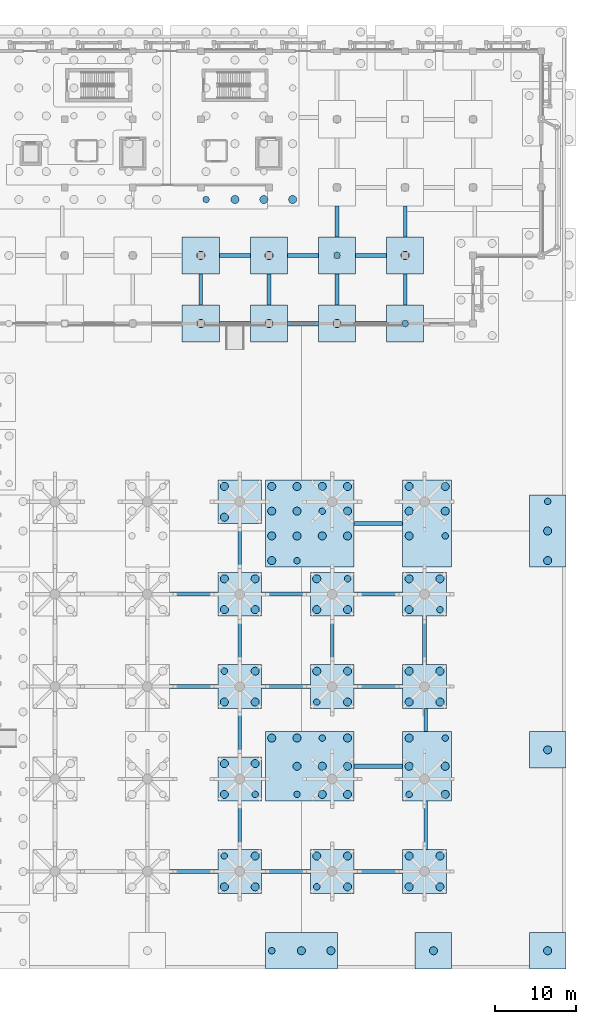
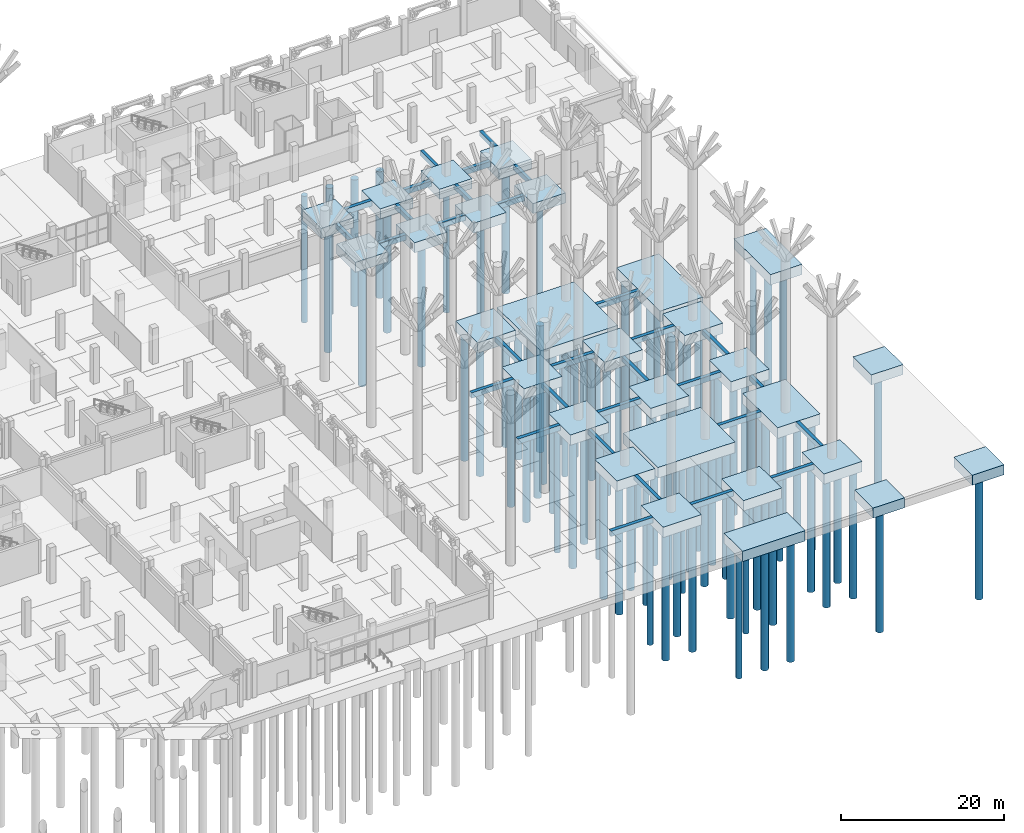
# One storey, part 7 of 98: 99 piles, 59 footings.
"""IFC4 building model written with IfcOpenShell, lengths in metres."""

from ifc_helpers import new_model, si_unit, direction, frame, origin, origin_2d, place, context, subcontext, project, spatial, rectangle, circle, extrude, material, material_profile, profile_set, type_object, element, save


model = new_model("IFC4")

# Units and contexts
model_context = context("Model", 3, precision=1e-05, world=origin(), true_north=direction((0.0, 1.0)))
body_context = subcontext(model_context, "Body", "Model", "MODEL_VIEW")
ifc_project = project(units=[si_unit("LENGTHUNIT", "METRE"), si_unit("AREAUNIT", "SQUARE_METRE"), si_unit("VOLUMEUNIT", "CUBIC_METRE"), si_unit("PLANEANGLEUNIT", "RADIAN"), si_unit("MASSUNIT", "GRAM", prefix="KILO")], contexts=[model_context])

# Site, building, storey
site_placement = place(None, origin())
site = spatial("IfcSite", under=ifc_project, at=site_placement, CompositionType="ELEMENT")
building_placement = place(site_placement, origin())
building = spatial("IfcBuilding", under=site, at=building_placement, Name="Xazarin Passage Department Store", CompositionType="ELEMENT")
storey_placement = place(building_placement, origin())
storey = spatial("IfcBuildingStorey", under=building, at=storey_placement, Name="L00", CompositionType="ELEMENT", Elevation=0.0)

# Footings
ifc_material = material(Name="Concrete C35/45", Category="concrete")
footing_type_1 = type_object("IfcFootingType", Name="STR-CAP-PC11", PredefinedType="PILE_CAP", material=ifc_material)
for number, where, z_axis, x_axis, name in (
    (1, (127.60009765625, 76.39990234375, -1.5), (0.0, 0.0, 1.0), (1.0, 0.0, 0.0), "Pile Cap 116"),
    (2, (136.0, 76.39990234375, -1.5), (0.0, 0.0, 1.0), (1.0, 0.0, 0.0), "Pile Cap 117"),
    (3, (144.39990234375, 76.39990234375, -1.5), (0.0, 0.0, 1.0), (1.0, 0.0, 0.0), "Pile Cap 118"),
    (4, (152.800048828125, 76.39990234375, -1.5), (0.0, 0.0, 1.0), (1.0, 0.0, 0.0), "Pile Cap 119"),
    (5, (127.60009765625, 84.800048828125, -1.5), (0.0, 0.0, 1.0), (1.0, 0.0, 0.0), "Pile Cap 132"),
    (6, (136.0, 84.800048828125, -1.5), (0.0, 0.0, 1.0), (1.0, 0.0, 0.0), "Pile Cap 133"),
    (7, (144.39990234375, 84.800048828125, -1.5), (0.0, 0.0, 1.0), (1.0, 0.0, 0.0), "Pile Cap 134"),
    (8, (152.800048828125, 84.800048828125, -1.5), (0.0, 0.0, 1.0), (1.0, 0.0, 0.0), "Pile Cap 135"),
):
    element("IfcFooting", number, at=place(storey_placement, frame(where, z_axis=z_axis, x_axis=x_axis)), inside=storey, type_object=footing_type_1, Name=name, PredefinedType="PILE_CAP", context=body_context, shape_type="SweptSolid", body=[
        extrude(rectangle(XDim=4.60009765625, YDim=4.60009765625, at=origin_2d()), origin(), (0.0, 0.0, 1.0), 1.5),
    ])
footing_type_2 = type_object("IfcFootingType", Name="STR-CAP-PC14", PredefinedType="PILE_CAP", material=ifc_material)
for number, where, z_axis, x_axis, name in (
    (9, (132.39990234375, 8.800048828125, -1.5498046875), (0.0, 0.0, 1.0), (1.0, 0.0, 0.0), "Pile Cap 028"),
    (10, (143.800048828125, 8.800048828125, -1.5498046875), (0.0, 0.0, 1.0), (1.0, 0.0, 0.0), "Pile Cap 029"),
    (11, (155.199951171875, 8.800048828125, -1.5498046875), (0.0, 0.0, 1.0), (1.0, 0.0, 0.0), "Pile Cap 030"),
    (12, (132.39990234375, 20.199951171875, -1.5498046875), (0.0, 0.0, 1.0), (1.0, 0.0, 0.0), "Pile Cap 042"),
    (13, (132.39990234375, 31.60009765625, -1.5498046875), (0.0, 0.0, 1.0), (1.0, 0.0, 0.0), "Pile Cap 058"),
    (14, (143.800048828125, 31.60009765625, -1.5498046875), (0.0, 0.0, 1.0), (1.0, 0.0, 0.0), "Pile Cap 059"),
    (15, (155.199951171875, 31.60009765625, -1.5498046875), (0.0, 0.0, 1.0), (1.0, 0.0, 0.0), "Pile Cap 060"),
    (16, (132.39990234375, 43.0, -1.5498046875), (0.0, 0.0, 1.0), (1.0, 0.0, 0.0), "Pile Cap 070"),
    (17, (143.800048828125, 43.0, -1.5498046875), (0.0, 0.0, 1.0), (1.0, 0.0, 0.0), "Pile Cap 071"),
    (18, (155.199951171875, 43.0, -1.5498046875), (0.0, 0.0, 1.0), (1.0, 0.0, 0.0), "Pile Cap 072"),
    (19, (132.39990234375, 54.39990234375, -1.5498046875), (0.0, 0.0, 1.0), (1.0, 0.0, 0.0), "Pile Cap 080"),
):
    element("IfcFooting", number, at=place(storey_placement, frame(where, z_axis=z_axis, x_axis=x_axis)), inside=storey, type_object=footing_type_2, Name=name, PredefinedType="PILE_CAP", context=body_context, shape_type="SweptSolid", body=[
        extrude(rectangle(XDim=5.39990234375, YDim=5.39990234375, at=origin_2d()), origin(), (0.0, 0.0, 1.0), 1.550048828125),
    ])
footing_type_3 = type_object("IfcFootingType", Name="STR-CAP-PC18", PredefinedType="PILE_CAP", material=ifc_material)
footing_1_placement = place(storey_placement, frame((141.02001953125, 21.77490234375, -1.60009765625), z_axis=(0.0, 0.0, 1.0), x_axis=(1.0, 0.0, 0.0)))
element("IfcFooting", 20, at=footing_1_placement, inside=storey, type_object=footing_type_3, Name="Pile Cap 043", PredefinedType="PILE_CAP", context=body_context, shape_type="SweptSolid", body=[
    extrude(rectangle(XDim=10.949951171875, YDim=8.550048828125, at=origin_2d()), origin(), (0.0, 0.0, 1.0), 1.60009765625),
])
footing_type_4 = type_object("IfcFootingType", Name="STR-CAP-PC19", PredefinedType="PILE_CAP", material=ifc_material)
footing_2_placement = place(storey_placement, frame((155.52490234375, 21.77490234375, -1.60009765625), z_axis=(0.0, 0.0, 1.0), x_axis=(0.0, 1.0, 0.0)))
element("IfcFooting", 21, at=footing_2_placement, inside=storey, type_object=footing_type_4, Name="Pile Cap 044", PredefinedType="PILE_CAP", context=body_context, shape_type="SweptSolid", body=[
    extrude(rectangle(XDim=8.550048828125, YDim=6.050048828125, at=origin_2d()), origin(), (0.0, 0.0, 1.0), 1.60009765625),
])
footing_type_5 = type_object("IfcFootingType", Name="STR-CAP-PC24", PredefinedType="PILE_CAP", material=ifc_material)
footing_3_placement = place(storey_placement, frame((141.02001953125, 51.719970703125, -1.60009765625), z_axis=(0.0, 0.0, 1.0), x_axis=(1.0, 0.0, 0.0)))
element("IfcFooting", 22, at=footing_3_placement, inside=storey, type_object=footing_type_5, Name="Pile Cap 075", PredefinedType="PILE_CAP", context=body_context, shape_type="SweptSolid", body=[
    extrude(rectangle(XDim=10.949951171875, YDim=10.75, at=origin_2d()), origin(), (0.0, 0.0, 1.0), 1.60009765625),
])
footing_type_6 = type_object("IfcFootingType", Name="STR-CAP-PC25", PredefinedType="PILE_CAP", material=ifc_material)
footing_4_placement = place(storey_placement, frame((155.52490234375, 51.719970703125, -1.60009765625), z_axis=(0.0, 0.0, 1.0), x_axis=(0.0, 1.0, 0.0)))
element("IfcFooting", 23, at=footing_4_placement, inside=storey, type_object=footing_type_6, Name="Pile Cap 076", PredefinedType="PILE_CAP", context=body_context, shape_type="SweptSolid", body=[
    extrude(rectangle(XDim=10.75, YDim=6.050048828125, at=origin_2d()), origin(), (0.0, 0.0, 1.0), 1.60009765625),
])
footing_type_7 = type_object("IfcFootingType", Name="STR-CAP-PC4", PredefinedType="PILE_CAP", material=ifc_material)
for number, where, z_axis, x_axis, name in (
    (24, (156.300048828125, -0.989990234375, -1.5), (0.0, 0.0, 1.0), (1.0, 0.0, 0.0), "Pile Cap 010"),
    (25, (170.389892578125, -0.989990234375, -1.5), (0.0, 0.0, 1.0), (1.0, 0.0, 0.0), "Pile Cap 011"),
    (26, (170.389892578125, 23.800048828125, -1.5), (0.0, 0.0, 1.0), (1.0, 0.0, 0.0), "Pile Cap 046"),
):
    element("IfcFooting", number, at=place(storey_placement, frame(where, z_axis=z_axis, x_axis=x_axis)), inside=storey, type_object=footing_type_7, Name=name, PredefinedType="PILE_CAP", context=body_context, shape_type="SweptSolid", body=[
        extrude(rectangle(XDim=4.5, YDim=4.5, at=origin_2d()), origin(), (0.0, 0.0, 1.0), 1.5),
    ])
footing_type_8 = type_object("IfcFootingType", Name="STR-CAP-PC6", PredefinedType="PILE_CAP", material=ifc_material)
for number, where, z_axis, x_axis, name in (
    (27, (140.0, -0.989990234375, -1.5498046875), (0.0, 0.0, 1.0), (1.0, 0.0, 0.0), "Pile Cap 009"),
    (28, (170.389892578125, 50.800048828125, -1.5498046875), (0.0, 0.0, 1.0), (0.0, 1.0, 0.0), "Pile Cap 077"),
):
    element("IfcFooting", number, at=place(storey_placement, frame(where, z_axis=z_axis, x_axis=x_axis)), inside=storey, type_object=footing_type_8, Name=name, PredefinedType="PILE_CAP", context=body_context, shape_type="SweptSolid", body=[
        extrude(rectangle(XDim=8.89990234375, YDim=4.5, at=origin_2d()), origin(), (0.0, 0.0, 1.0), 1.550048828125),
    ])
ifc_material_profile_1 = material_profile(ifc_material, rectangle(XDim=0.449951171875, YDim=0.699951171875, at=origin_2d()), Name="RC 450x700")
ifc_profile_set_1 = profile_set([ifc_material_profile_1], Name="Concrete C35/45")
footing_type_9 = type_object("IfcFootingType", Name="STR-FTG-TB450x700", PredefinedType="FOOTING_BEAM", material=ifc_profile_set_1)
for number, where, z_axis, x_axis, name in (
    (29, (132.39990234375, 11.5, -0.35009765625), (0.0, 1.0, 0.0), (-1.0, 0.0, 0.0), "Ground Tie Beam 022"),
    (30, (155.362548828125, 11.5, -0.35009765625), (0.0, 1.0, 0.0), (-1.0, 0.0, 0.0), "Ground Tie Beam 024"),
    (31, (132.39990234375, 22.89990234375, -0.35009765625), (0.0, 1.0, 0.0), (-1.0, 0.0, 0.0), "Ground Tie Beam 038"),
):
    element("IfcFooting", number, at=place(storey_placement, frame(where, z_axis=z_axis, x_axis=x_axis)), inside=storey, type_object=footing_type_9, Name=name, PredefinedType="FOOTING_BEAM", context=body_context, shape_type="SweptSolid", body=[
        extrude(rectangle(XDim=0.449951171875, YDim=0.699951171875, at=origin_2d()), origin(), (0.0, 0.0, 1.0), 6.0),
    ])
footing_5_placement = place(storey_placement, frame((155.362548828125, 26.050048828125, -0.35009765625), z_axis=(0.0, 1.0, 0.0), x_axis=(-1.0, 0.0, 0.0)))
element("IfcFooting", 32, at=footing_5_placement, inside=storey, type_object=footing_type_9, Name="Ground Tie Beam 040", PredefinedType="FOOTING_BEAM", context=body_context, shape_type="SweptSolid", body=[
    extrude(rectangle(XDim=0.449951171875, YDim=0.699951171875, at=origin_2d()), origin(), (0.0, 0.0, 1.0), 2.849853515625),
])
for number, where, z_axis, x_axis, name in (
    (33, (132.39990234375, 34.300048828125, -0.35009765625), (0.0, 1.0, 0.0), (-1.0, 0.0, 0.0), "Ground Tie Beam 056"),
    (34, (143.800048828125, 34.300048828125, -0.35009765625), (0.0, 1.0, 0.0), (-1.0, 0.0, 0.0), "Ground Tie Beam 058"),
    (35, (155.199951171875, 34.300048828125, -0.35009765625), (0.0, 1.0, 0.0), (-1.0, 0.0, 0.0), "Ground Tie Beam 059"),
    (36, (132.39990234375, 45.699951171875, -0.35009765625), (0.0, 1.0, 0.0), (-1.0, 0.0, 0.0), "Ground Tie Beam 073"),
):
    element("IfcFooting", number, at=place(storey_placement, frame(where, z_axis=z_axis, x_axis=x_axis)), inside=storey, type_object=footing_type_9, Name=name, PredefinedType="FOOTING_BEAM", context=body_context, shape_type="SweptSolid", body=[
        extrude(rectangle(XDim=0.449951171875, YDim=0.699951171875, at=origin_2d()), origin(), (0.0, 0.0, 1.0), 6.0),
    ])
for number, where, z_axis, x_axis, name in (
    (37, (127.60009765625, 78.699951171875, -0.35009765625), (0.0, 1.0, 0.0), (-1.0, 0.0, 0.0), "Ground Tie Beam 131"),
    (38, (136.0, 78.699951171875, -0.35009765625), (0.0, 1.0, 0.0), (-1.0, 0.0, 0.0), "Ground Tie Beam 133"),
    (39, (144.39990234375, 78.699951171875, -0.35009765625), (0.0, 1.0, 0.0), (-1.0, 0.0, 0.0), "Ground Tie Beam 135"),
    (40, (152.800048828125, 78.699951171875, -0.35009765625), (0.0, 1.0, 0.0), (-1.0, 0.0, 0.0), "Ground Tie Beam 137"),
):
    element("IfcFooting", number, at=place(storey_placement, frame(where, z_axis=z_axis, x_axis=x_axis)), inside=storey, type_object=footing_type_9, Name=name, PredefinedType="FOOTING_BEAM", context=body_context, shape_type="SweptSolid", body=[
        extrude(rectangle(XDim=0.449951171875, YDim=0.699951171875, at=origin_2d()), origin(), (0.0, 0.0, 1.0), 3.800048828125),
    ])
for number, where, z_axis, x_axis, name in (
    (41, (144.39990234375, 87.10009765625, -0.35009765625), (0.0, 1.0, 0.0), (-1.0, 0.0, 0.0), "Ground Tie Beam 150"),
    (42, (152.800048828125, 87.10009765625, -0.35009765625), (0.0, 1.0, 0.0), (-1.0, 0.0, 0.0), "Ground Tie Beam 151"),
):
    element("IfcFooting", number, at=place(storey_placement, frame(where, z_axis=z_axis, x_axis=x_axis)), inside=storey, type_object=footing_type_9, Name=name, PredefinedType="FOOTING_BEAM", context=body_context, shape_type="SweptSolid", body=[
        extrude(rectangle(XDim=0.449951171875, YDim=0.699951171875, at=origin_2d()), origin(), (0.0, 0.0, 1.0), 3.7998046875),
    ])
ifc_material_profile_2 = material_profile(ifc_material, rectangle(XDim=0.5, YDim=0.800048828125, at=origin_2d()), Name="RC 500x800")
ifc_profile_set_2 = profile_set([ifc_material_profile_2], Name="Concrete C35/45")
footing_type_10 = type_object("IfcFootingType", Name="STR-FTG-TB500x800", PredefinedType="FOOTING_BEAM", material=ifc_profile_set_2)
for number, where, z_axis, x_axis, name in (
    (43, (123.699951171875, 8.800048828125, -0.39990234375), (1.0, 0.0, 0.0), (0.0, 1.0, 0.0), "Ground Tie Beam 019"),
    (44, (135.10009765625, 8.800048828125, -0.39990234375), (1.0, 0.0, 0.0), (0.0, 1.0, 0.0), "Ground Tie Beam 021"),
    (45, (146.5, 8.800048828125, -0.39990234375), (1.0, 0.0, 0.0), (0.0, 1.0, 0.0), "Ground Tie Beam 023"),
):
    element("IfcFooting", number, at=place(storey_placement, frame(where, z_axis=z_axis, x_axis=x_axis)), inside=storey, type_object=footing_type_10, Name=name, PredefinedType="FOOTING_BEAM", context=body_context, shape_type="SweptSolid", body=[
        extrude(rectangle(XDim=0.5, YDim=0.800048828125, at=origin_2d()), origin(), (0.0, 0.0, 1.0), 6.0),
    ])
footing_6_placement = place(storey_placement, frame((146.4951171875, 21.77490234375, -0.39990234375), z_axis=(1.0, 0.0, 0.0), x_axis=(0.0, 1.0, 0.0)))
element("IfcFooting", 46, at=footing_6_placement, inside=storey, type_object=footing_type_10, Name="Ground Tie Beam 039", PredefinedType="FOOTING_BEAM", context=body_context, shape_type="SweptSolid", body=[
    extrude(rectangle(XDim=0.5, YDim=0.800048828125, at=origin_2d()), origin(), (0.0, 0.0, 1.0), 6.0048828125),
])
for number, where, z_axis, x_axis, name in (
    (47, (123.699951171875, 31.60009765625, -0.39990234375), (1.0, 0.0, 0.0), (0.0, 1.0, 0.0), "Ground Tie Beam 053"),
    (48, (135.10009765625, 31.60009765625, -0.39990234375), (1.0, 0.0, 0.0), (0.0, 1.0, 0.0), "Ground Tie Beam 055"),
    (49, (146.5, 31.60009765625, -0.39990234375), (1.0, 0.0, 0.0), (0.0, 1.0, 0.0), "Ground Tie Beam 057"),
    (50, (123.699951171875, 43.0, -0.39990234375), (1.0, 0.0, 0.0), (0.0, 1.0, 0.0), "Ground Tie Beam 071"),
    (51, (135.10009765625, 43.0, -0.39990234375), (1.0, 0.0, 0.0), (0.0, 1.0, 0.0), "Ground Tie Beam 072"),
    (52, (146.5, 43.0, -0.39990234375), (1.0, 0.0, 0.0), (0.0, 1.0, 0.0), "Ground Tie Beam 074"),
):
    element("IfcFooting", number, at=place(storey_placement, frame(where, z_axis=z_axis, x_axis=x_axis)), inside=storey, type_object=footing_type_10, Name=name, PredefinedType="FOOTING_BEAM", context=body_context, shape_type="SweptSolid", body=[
        extrude(rectangle(XDim=0.5, YDim=0.800048828125, at=origin_2d()), origin(), (0.0, 0.0, 1.0), 6.0),
    ])
footing_7_placement = place(storey_placement, frame((146.4951171875, 51.719970703125, -0.39990234375), z_axis=(1.0, 0.0, 0.0), x_axis=(0.0, 1.0, 0.0)))
element("IfcFooting", 53, at=footing_7_placement, inside=storey, type_object=footing_type_10, Name="Ground Tie Beam 075", PredefinedType="FOOTING_BEAM", context=body_context, shape_type="SweptSolid", body=[
    extrude(rectangle(XDim=0.5, YDim=0.800048828125, at=origin_2d()), origin(), (0.0, 0.0, 1.0), 6.0048828125),
])
for number, where, z_axis, x_axis, name in (
    (54, (129.89990234375, 76.39990234375, -0.39990234375), (1.0, 0.0, 0.0), (0.0, 1.0, 0.0), "Ground Tie Beam 130"),
    (55, (138.300048828125, 76.39990234375, -0.39990234375), (1.0, 0.0, 0.0), (0.0, 1.0, 0.0), "Ground Tie Beam 132"),
    (56, (146.699951171875, 76.39990234375, -0.39990234375), (1.0, 0.0, 0.0), (0.0, 1.0, 0.0), "Ground Tie Beam 134"),
    (57, (129.89990234375, 84.800048828125, -0.39990234375), (1.0, 0.0, 0.0), (0.0, 1.0, 0.0), "Ground Tie Beam 147"),
    (58, (138.300048828125, 84.800048828125, -0.39990234375), (1.0, 0.0, 0.0), (0.0, 1.0, 0.0), "Ground Tie Beam 148"),
    (59, (146.699951171875, 84.800048828125, -0.39990234375), (1.0, 0.0, 0.0), (0.0, 1.0, 0.0), "Ground Tie Beam 149"),
):
    element("IfcFooting", number, at=place(storey_placement, frame(where, z_axis=z_axis, x_axis=x_axis)), inside=storey, type_object=footing_type_10, Name=name, PredefinedType="FOOTING_BEAM", context=body_context, shape_type="SweptSolid", body=[
        extrude(rectangle(XDim=0.5, YDim=0.800048828125, at=origin_2d()), origin(), (0.0, 0.0, 1.0), 3.800048828125),
    ])

# Piles
ifc_material_profile_3 = material_profile(ifc_material, circle(Radius=0.5, at=origin_2d()), Name="BP 1000")
ifc_profile_set_3 = profile_set([ifc_material_profile_3], Name="Concrete C35/45")
pile_type_1 = type_object("IfcPileType", Name="STR-PIL-BP1000", PredefinedType="BORED", material=ifc_profile_set_3)
for number, where, z_axis, x_axis, name in (
    (60, (140.0, -0.989990234375, -1.449951171875), (0.0, 0.0, -1.0), (1.0, 0.0, 0.0), "Bored Pile 009-2"),
    (61, (143.64990234375, -0.989990234375, -1.449951171875), (0.0, 0.0, -1.0), (1.0, 0.0, 0.0), "Bored Pile 009-3"),
):
    element("IfcPile", number, at=place(storey_placement, frame(where, z_axis=z_axis, x_axis=x_axis)), inside=storey, type_object=pile_type_1, Name=name, PredefinedType="BORED", context=body_context, shape_type="SweptSolid", body=[
        extrude(circle(Radius=0.5, at=origin_2d()), origin(), (0.0, 0.0, 1.0), 19.050048828125),
    ])
for number, where, z_axis, x_axis, name in (
    (62, (156.300048828125, -0.989990234375, -1.39990234375), (0.0, 0.0, -1.0), (1.0, 0.0, 0.0), "Bored Pile 010-1"),
    (63, (170.389892578125, -0.989990234375, -1.39990234375), (0.0, 0.0, -1.0), (1.0, 0.0, 0.0), "Bored Pile 011-1"),
):
    element("IfcPile", number, at=place(storey_placement, frame(where, z_axis=z_axis, x_axis=x_axis)), inside=storey, type_object=pile_type_1, Name=name, PredefinedType="BORED", context=body_context, shape_type="SweptSolid", body=[
        extrude(circle(Radius=0.5, at=origin_2d()), origin(), (0.0, 0.0, 1.0), 19.10009765625),
    ])
for number, where, z_axis, x_axis, name in (
    (64, (130.5, 6.89990234375, -1.449951171875), (0.0, 0.0, -1.0), (1.0, 0.0, 0.0), "Bored Pile 028-1"),
    (65, (134.300048828125, 6.89990234375, -1.449951171875), (0.0, 0.0, -1.0), (1.0, 0.0, 0.0), "Bored Pile 028-3"),
    (66, (134.300048828125, 10.699951171875, -1.449951171875), (0.0, 0.0, -1.0), (1.0, 0.0, 0.0), "Bored Pile 028-4"),
    (67, (141.89990234375, 10.699951171875, -1.449951171875), (0.0, 0.0, -1.0), (1.0, 0.0, 0.0), "Bored Pile 029-2"),
    (68, (145.699951171875, 6.89990234375, -1.449951171875), (0.0, 0.0, -1.0), (1.0, 0.0, 0.0), "Bored Pile 029-3"),
    (69, (145.699951171875, 10.699951171875, -1.449951171875), (0.0, 0.0, -1.0), (1.0, 0.0, 0.0), "Bored Pile 029-4"),
    (70, (153.300048828125, 6.89990234375, -1.449951171875), (0.0, 0.0, -1.0), (1.0, 0.0, 0.0), "Bored Pile 030-1"),
    (71, (153.300048828125, 10.699951171875, -1.449951171875), (0.0, 0.0, -1.0), (1.0, 0.0, 0.0), "Bored Pile 030-2"),
    (72, (157.10009765625, 6.89990234375, -1.449951171875), (0.0, 0.0, -1.0), (1.0, 0.0, 0.0), "Bored Pile 030-3"),
    (73, (157.10009765625, 10.699951171875, -1.449951171875), (0.0, 0.0, -1.0), (1.0, 0.0, 0.0), "Bored Pile 030-4"),
    (74, (130.5, 18.300048828125, -1.449951171875), (0.0, 0.0, -1.0), (1.0, 0.0, 0.0), "Bored Pile 042-1"),
    (75, (130.5, 22.10009765625, -1.449951171875), (0.0, 0.0, -1.0), (1.0, 0.0, 0.0), "Bored Pile 042-2"),
    (76, (134.300048828125, 22.10009765625, -1.449951171875), (0.0, 0.0, -1.0), (1.0, 0.0, 0.0), "Bored Pile 042-4"),
):
    element("IfcPile", number, at=place(storey_placement, frame(where, z_axis=z_axis, x_axis=x_axis)), inside=storey, type_object=pile_type_1, Name=name, PredefinedType="BORED", context=body_context, shape_type="SweptSolid", body=[
        extrude(circle(Radius=0.5, at=origin_2d()), origin(), (0.0, 0.0, 1.0), 19.050048828125),
    ])
for number, where, z_axis, x_axis, name in (
    (77, (136.344970703125, 25.25, -1.5), (0.0, 0.0, -1.0), (1.0, 0.0, 0.0), "Bored Pile 043-1"),
    (78, (139.461669921875, 21.77490234375, -1.5), (0.0, 0.0, -1.0), (1.0, 0.0, 0.0), "Bored Pile 043-3"),
    (79, (139.461669921875, 25.25, -1.5), (0.0, 0.0, -1.0), (1.0, 0.0, 0.0), "Bored Pile 043-4"),
    (80, (142.578369140625, 18.300048828125, -1.5), (0.0, 0.0, -1.0), (1.0, 0.0, 0.0), "Bored Pile 043-5"),
    (81, (142.578369140625, 21.77490234375, -1.5), (0.0, 0.0, -1.0), (1.0, 0.0, 0.0), "Bored Pile 043-6"),
    (82, (145.695068359375, 18.300048828125, -1.5), (0.0, 0.0, -1.0), (1.0, 0.0, 0.0), "Bored Pile 043-8"),
    (83, (145.695068359375, 21.77490234375, -1.5), (0.0, 0.0, -1.0), (1.0, 0.0, 0.0), "Bored Pile 043-9"),
    (84, (145.695068359375, 25.25, -1.5), (0.0, 0.0, -1.0), (1.0, 0.0, 0.0), "Bored Pile 043-10"),
    (85, (153.300048828125, 21.77490234375, -1.5), (0.0, 0.0, -1.0), (1.0, 0.0, 0.0), "Bored Pile 044-2"),
    (86, (153.300048828125, 25.25, -1.5), (0.0, 0.0, -1.0), (1.0, 0.0, 0.0), "Bored Pile 044-3"),
    (87, (157.75, 18.300048828125, -1.5), (0.0, 0.0, -1.0), (1.0, 0.0, 0.0), "Bored Pile 044-4"),
    (88, (157.75, 21.77490234375, -1.5), (0.0, 0.0, -1.0), (1.0, 0.0, 0.0), "Bored Pile 044-5"),
):
    element("IfcPile", number, at=place(storey_placement, frame(where, z_axis=z_axis, x_axis=x_axis)), inside=storey, type_object=pile_type_1, Name=name, PredefinedType="BORED", context=body_context, shape_type="SweptSolid", body=[
        extrude(circle(Radius=0.5, at=origin_2d()), origin(), (0.0, 0.0, 1.0), 19.0),
    ])
pile_1_placement = place(storey_placement, frame((170.389892578125, 23.800048828125, -1.39990234375), z_axis=(0.0, 0.0, -1.0), x_axis=(1.0, 0.0, 0.0)))
element("IfcPile", 89, at=pile_1_placement, inside=storey, type_object=pile_type_1, Name="Bored Pile 046-1", PredefinedType="BORED", context=body_context, shape_type="SweptSolid", body=[
    extrude(circle(Radius=0.5, at=origin_2d()), origin(), (0.0, 0.0, 1.0), 19.10009765625),
])
for number, where, z_axis, x_axis, name in (
    (90, (130.5, 29.699951171875, -1.449951171875), (0.0, 0.0, -1.0), (1.0, 0.0, 0.0), "Bored Pile 058-1"),
    (91, (134.300048828125, 29.699951171875, -1.449951171875), (0.0, 0.0, -1.0), (1.0, 0.0, 0.0), "Bored Pile 058-3"),
    (92, (134.300048828125, 33.5, -1.449951171875), (0.0, 0.0, -1.0), (1.0, 0.0, 0.0), "Bored Pile 058-4"),
    (93, (141.89990234375, 33.5, -1.449951171875), (0.0, 0.0, -1.0), (1.0, 0.0, 0.0), "Bored Pile 059-2"),
    (94, (145.699951171875, 29.699951171875, -1.449951171875), (0.0, 0.0, -1.0), (1.0, 0.0, 0.0), "Bored Pile 059-3"),
    (95, (145.699951171875, 33.5, -1.449951171875), (0.0, 0.0, -1.0), (1.0, 0.0, 0.0), "Bored Pile 059-4"),
    (96, (153.300048828125, 29.699951171875, -1.449951171875), (0.0, 0.0, -1.0), (1.0, 0.0, 0.0), "Bored Pile 060-1"),
    (97, (153.300048828125, 33.5, -1.449951171875), (0.0, 0.0, -1.0), (1.0, 0.0, 0.0), "Bored Pile 060-2"),
    (98, (157.10009765625, 29.699951171875, -1.449951171875), (0.0, 0.0, -1.0), (1.0, 0.0, 0.0), "Bored Pile 060-3"),
    (99, (157.10009765625, 33.5, -1.449951171875), (0.0, 0.0, -1.0), (1.0, 0.0, 0.0), "Bored Pile 060-4"),
    (100, (130.5, 41.10009765625, -1.449951171875), (0.0, 0.0, -1.0), (1.0, 0.0, 0.0), "Bored Pile 070-1"),
    (101, (130.5, 44.89990234375, -1.449951171875), (0.0, 0.0, -1.0), (1.0, 0.0, 0.0), "Bored Pile 070-2"),
    (102, (134.300048828125, 41.10009765625, -1.449951171875), (0.0, 0.0, -1.0), (1.0, 0.0, 0.0), "Bored Pile 070-3"),
    (103, (134.300048828125, 44.89990234375, -1.449951171875), (0.0, 0.0, -1.0), (1.0, 0.0, 0.0), "Bored Pile 070-4"),
    (104, (141.89990234375, 41.10009765625, -1.449951171875), (0.0, 0.0, -1.0), (1.0, 0.0, 0.0), "Bored Pile 071-1"),
    (105, (141.89990234375, 44.89990234375, -1.449951171875), (0.0, 0.0, -1.0), (1.0, 0.0, 0.0), "Bored Pile 071-2"),
    (106, (145.699951171875, 41.10009765625, -1.449951171875), (0.0, 0.0, -1.0), (1.0, 0.0, 0.0), "Bored Pile 071-3"),
    (107, (153.300048828125, 41.10009765625, -1.449951171875), (0.0, 0.0, -1.0), (1.0, 0.0, 0.0), "Bored Pile 072-1"),
    (108, (153.300048828125, 44.89990234375, -1.449951171875), (0.0, 0.0, -1.0), (1.0, 0.0, 0.0), "Bored Pile 072-2"),
    (109, (157.10009765625, 44.89990234375, -1.449951171875), (0.0, 0.0, -1.0), (1.0, 0.0, 0.0), "Bored Pile 072-4"),
):
    element("IfcPile", number, at=place(storey_placement, frame(where, z_axis=z_axis, x_axis=x_axis)), inside=storey, type_object=pile_type_1, Name=name, PredefinedType="BORED", context=body_context, shape_type="SweptSolid", body=[
        extrude(circle(Radius=0.5, at=origin_2d()), origin(), (0.0, 0.0, 1.0), 19.050048828125),
    ])
for number, where, z_axis, x_axis, name in (
    (110, (136.344970703125, 47.14501953125, -1.5), (0.0, 0.0, -1.0), (1.0, 0.0, 0.0), "Bored Pile 075-1"),
    (111, (136.344970703125, 50.195068359375, -1.5), (0.0, 0.0, -1.0), (1.0, 0.0, 0.0), "Bored Pile 075-2"),
    (112, (136.344970703125, 53.2451171875, -1.5), (0.0, 0.0, -1.0), (1.0, 0.0, 0.0), "Bored Pile 075-3"),
    (113, (136.344970703125, 56.294921875, -1.5), (0.0, 0.0, -1.0), (1.0, 0.0, 0.0), "Bored Pile 075-4"),
    (114, (139.461669921875, 50.195068359375, -1.5), (0.0, 0.0, -1.0), (1.0, 0.0, 0.0), "Bored Pile 075-6"),
    (115, (139.461669921875, 53.2451171875, -1.5), (0.0, 0.0, -1.0), (1.0, 0.0, 0.0), "Bored Pile 075-7"),
    (116, (139.461669921875, 56.294921875, -1.5), (0.0, 0.0, -1.0), (1.0, 0.0, 0.0), "Bored Pile 075-8"),
    (117, (142.578369140625, 50.195068359375, -1.5), (0.0, 0.0, -1.0), (1.0, 0.0, 0.0), "Bored Pile 075-9"),
    (118, (142.578369140625, 56.294921875, -1.5), (0.0, 0.0, -1.0), (1.0, 0.0, 0.0), "Bored Pile 075-11"),
    (119, (145.695068359375, 50.195068359375, -1.5), (0.0, 0.0, -1.0), (1.0, 0.0, 0.0), "Bored Pile 075-12"),
    (120, (145.695068359375, 53.2451171875, -1.5), (0.0, 0.0, -1.0), (1.0, 0.0, 0.0), "Bored Pile 075-13"),
    (121, (145.695068359375, 56.294921875, -1.5), (0.0, 0.0, -1.0), (1.0, 0.0, 0.0), "Bored Pile 075-14"),
    (122, (153.300048828125, 50.195068359375, -1.5), (0.0, 0.0, -1.0), (1.0, 0.0, 0.0), "Bored Pile 076-1"),
    (123, (153.300048828125, 53.2451171875, -1.5), (0.0, 0.0, -1.0), (1.0, 0.0, 0.0), "Bored Pile 076-2"),
    (124, (153.300048828125, 56.294921875, -1.5), (0.0, 0.0, -1.0), (1.0, 0.0, 0.0), "Bored Pile 076-3"),
    (125, (157.75, 53.2451171875, -1.5), (0.0, 0.0, -1.0), (1.0, 0.0, 0.0), "Bored Pile 076-5"),
    (126, (157.75, 56.294921875, -1.5), (0.0, 0.0, -1.0), (1.0, 0.0, 0.0), "Bored Pile 076-6"),
):
    element("IfcPile", number, at=place(storey_placement, frame(where, z_axis=z_axis, x_axis=x_axis)), inside=storey, type_object=pile_type_1, Name=name, PredefinedType="BORED", context=body_context, shape_type="SweptSolid", body=[
        extrude(circle(Radius=0.5, at=origin_2d()), origin(), (0.0, 0.0, 1.0), 19.0),
    ])
for number, where, z_axis, x_axis, name in (
    (127, (170.389892578125, 47.14990234375, -1.449951171875), (0.0, 0.0, -1.0), (1.0, 0.0, 0.0), "Bored Pile 077-1"),
    (128, (170.389892578125, 50.800048828125, -1.449951171875), (0.0, 0.0, -1.0), (1.0, 0.0, 0.0), "Bored Pile 077-2"),
    (129, (130.5, 52.5, -1.449951171875), (0.0, 0.0, -1.0), (1.0, 0.0, 0.0), "Bored Pile 080-1"),
    (130, (130.5, 56.300048828125, -1.449951171875), (0.0, 0.0, -1.0), (1.0, 0.0, 0.0), "Bored Pile 080-2"),
):
    element("IfcPile", number, at=place(storey_placement, frame(where, z_axis=z_axis, x_axis=x_axis)), inside=storey, type_object=pile_type_1, Name=name, PredefinedType="BORED", context=body_context, shape_type="SweptSolid", body=[
        extrude(circle(Radius=0.5, at=origin_2d()), origin(), (0.0, 0.0, 1.0), 19.050048828125),
    ])
for number, where, z_axis, x_axis, name in (
    (131, (127.60009765625, 76.39990234375, -1.39990234375), (0.0, 0.0, -1.0), (1.0, 0.0, 0.0), "Bored Pile 116-1"),
    (132, (136.0, 76.39990234375, -1.39990234375), (0.0, 0.0, -1.0), (1.0, 0.0, 0.0), "Bored Pile 117-1"),
    (133, (144.39990234375, 76.39990234375, -1.39990234375), (0.0, 0.0, -1.0), (1.0, 0.0, 0.0), "Bored Pile 118-1"),
    (134, (127.60009765625, 84.800048828125, -1.39990234375), (0.0, 0.0, -1.0), (1.0, 0.0, 0.0), "Bored Pile 132-1"),
    (135, (136.0, 84.800048828125, -1.39990234375), (0.0, 0.0, -1.0), (1.0, 0.0, 0.0), "Bored Pile 133-1"),
    (136, (152.800048828125, 84.800048828125, -1.39990234375), (0.0, 0.0, -1.0), (1.0, 0.0, 0.0), "Bored Pile 135-1"),
):
    element("IfcPile", number, at=place(storey_placement, frame(where, z_axis=z_axis, x_axis=x_axis)), inside=storey, type_object=pile_type_1, Name=name, PredefinedType="BORED", context=body_context, shape_type="SweptSolid", body=[
        extrude(circle(Radius=0.5, at=origin_2d()), origin(), (0.0, 0.0, 1.0), 19.10009765625),
    ])
for number, where, z_axis, x_axis, name in (
    (137, (131.800048828125, 91.699951171875, -1.5), (0.0, 0.0, -1.0), (1.0, 0.0, 0.0), "Bored Pile 144-8"),
    (138, (135.362548828125, 91.699951171875, -1.5), (0.0, 0.0, -1.0), (1.0, 0.0, 0.0), "Bored Pile 144-15"),
    (139, (138.925048828125, 91.699951171875, -1.5), (0.0, 0.0, -1.0), (1.0, 0.0, 0.0), "Bored Pile 144-22"),
):
    element("IfcPile", number, at=place(storey_placement, frame(where, z_axis=z_axis, x_axis=x_axis)), inside=storey, type_object=pile_type_1, Name=name, PredefinedType="BORED", context=body_context, shape_type="SweptSolid", body=[
        extrude(circle(Radius=0.5, at=origin_2d()), origin(), (0.0, 0.0, 1.0), 19.0),
    ])
ifc_material_profile_4 = material_profile(ifc_material, circle(Radius=0.39990234375, at=origin_2d()), Name="BP 800")
ifc_profile_set_4 = profile_set([ifc_material_profile_4], Name="Concrete C35/45")
pile_type_2 = type_object("IfcPileType", Name="STR-PIL-BP800", PredefinedType="BORED", material=ifc_profile_set_4)
for number, where, z_axis, x_axis, name in (
    (140, (136.35009765625, -0.989990234375, -1.449951171875), (0.0, 0.0, -1.0), (1.0, 0.0, 0.0), "Bored Pile 009-1"),
    (141, (130.5, 10.699951171875, -1.449951171875), (0.0, 0.0, -1.0), (1.0, 0.0, 0.0), "Bored Pile 028-2"),
    (142, (141.89990234375, 6.89990234375, -1.449951171875), (0.0, 0.0, -1.0), (1.0, 0.0, 0.0), "Bored Pile 029-1"),
    (143, (134.300048828125, 18.300048828125, -1.449951171875), (0.0, 0.0, -1.0), (1.0, 0.0, 0.0), "Bored Pile 042-3"),
):
    element("IfcPile", number, at=place(storey_placement, frame(where, z_axis=z_axis, x_axis=x_axis)), inside=storey, type_object=pile_type_2, Name=name, PredefinedType="BORED", context=body_context, shape_type="SweptSolid", body=[
        extrude(circle(Radius=0.39990234375, at=origin_2d()), origin(), (0.0, 0.0, 1.0), 19.050048828125),
    ])
for number, where, z_axis, x_axis, name in (
    (144, (139.461669921875, 18.300048828125, -1.5), (0.0, 0.0, -1.0), (1.0, 0.0, 0.0), "Bored Pile 043-2"),
    (145, (142.578369140625, 25.25, -1.5), (0.0, 0.0, -1.0), (1.0, 0.0, 0.0), "Bored Pile 043-7"),
    (146, (153.300048828125, 18.300048828125, -1.5), (0.0, 0.0, -1.0), (1.0, 0.0, 0.0), "Bored Pile 044-1"),
    (147, (157.75, 25.25, -1.5), (0.0, 0.0, -1.0), (1.0, 0.0, 0.0), "Bored Pile 044-6"),
):
    element("IfcPile", number, at=place(storey_placement, frame(where, z_axis=z_axis, x_axis=x_axis)), inside=storey, type_object=pile_type_2, Name=name, PredefinedType="BORED", context=body_context, shape_type="SweptSolid", body=[
        extrude(circle(Radius=0.39990234375, at=origin_2d()), origin(), (0.0, 0.0, 1.0), 19.0),
    ])
for number, where, z_axis, x_axis, name in (
    (148, (130.5, 33.5, -1.449951171875), (0.0, 0.0, -1.0), (1.0, 0.0, 0.0), "Bored Pile 058-2"),
    (149, (141.89990234375, 29.699951171875, -1.449951171875), (0.0, 0.0, -1.0), (1.0, 0.0, 0.0), "Bored Pile 059-1"),
    (150, (145.699951171875, 44.89990234375, -1.449951171875), (0.0, 0.0, -1.0), (1.0, 0.0, 0.0), "Bored Pile 071-4"),
    (151, (157.10009765625, 41.10009765625, -1.449951171875), (0.0, 0.0, -1.0), (1.0, 0.0, 0.0), "Bored Pile 072-3"),
):
    element("IfcPile", number, at=place(storey_placement, frame(where, z_axis=z_axis, x_axis=x_axis)), inside=storey, type_object=pile_type_2, Name=name, PredefinedType="BORED", context=body_context, shape_type="SweptSolid", body=[
        extrude(circle(Radius=0.39990234375, at=origin_2d()), origin(), (0.0, 0.0, 1.0), 19.050048828125),
    ])
for number, where, z_axis, x_axis, name in (
    (152, (139.461669921875, 47.14501953125, -1.5), (0.0, 0.0, -1.0), (1.0, 0.0, 0.0), "Bored Pile 075-5"),
    (153, (142.578369140625, 53.2451171875, -1.5), (0.0, 0.0, -1.0), (1.0, 0.0, 0.0), "Bored Pile 075-10"),
    (154, (157.75, 50.195068359375, -1.5), (0.0, 0.0, -1.0), (1.0, 0.0, 0.0), "Bored Pile 076-4"),
):
    element("IfcPile", number, at=place(storey_placement, frame(where, z_axis=z_axis, x_axis=x_axis)), inside=storey, type_object=pile_type_2, Name=name, PredefinedType="BORED", context=body_context, shape_type="SweptSolid", body=[
        extrude(circle(Radius=0.39990234375, at=origin_2d()), origin(), (0.0, 0.0, 1.0), 19.0),
    ])
pile_2_placement = place(storey_placement, frame((170.389892578125, 54.449951171875, -1.449951171875), z_axis=(0.0, 0.0, -1.0), x_axis=(1.0, 0.0, 0.0)))
element("IfcPile", 155, at=pile_2_placement, inside=storey, type_object=pile_type_2, Name="Bored Pile 077-3", PredefinedType="BORED", context=body_context, shape_type="SweptSolid", body=[
    extrude(circle(Radius=0.39990234375, at=origin_2d()), origin(), (0.0, 0.0, 1.0), 19.050048828125),
])
for number, where, z_axis, x_axis, name in (
    (156, (152.800048828125, 76.39990234375, -1.39990234375), (0.0, 0.0, -1.0), (1.0, 0.0, 0.0), "Bored Pile 119-1"),
    (157, (144.39990234375, 84.800048828125, -1.39990234375), (0.0, 0.0, -1.0), (1.0, 0.0, 0.0), "Bored Pile 134-1"),
):
    element("IfcPile", number, at=place(storey_placement, frame(where, z_axis=z_axis, x_axis=x_axis)), inside=storey, type_object=pile_type_2, Name=name, PredefinedType="BORED", context=body_context, shape_type="SweptSolid", body=[
        extrude(circle(Radius=0.39990234375, at=origin_2d()), origin(), (0.0, 0.0, 1.0), 19.10009765625),
    ])
pile_3_placement = place(storey_placement, frame((128.237548828125, 91.699951171875, -1.5), z_axis=(0.0, 0.0, -1.0), x_axis=(1.0, 0.0, 0.0)))
element("IfcPile", 158, at=pile_3_placement, inside=storey, type_object=pile_type_2, Name="Bored Pile 144-1", PredefinedType="BORED", context=body_context, shape_type="SweptSolid", body=[
    extrude(circle(Radius=0.39990234375, at=origin_2d()), origin(), (0.0, 0.0, 1.0), 19.0),
])

save(model, "model.ifc")
